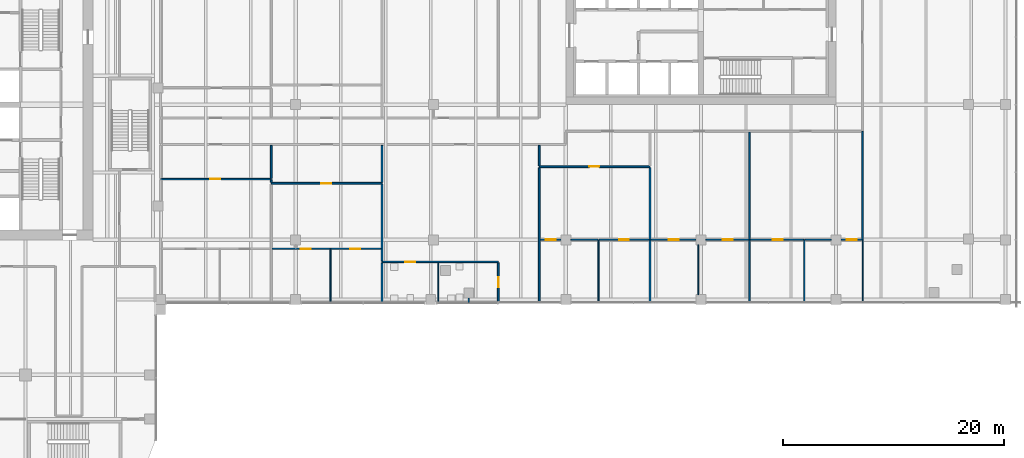
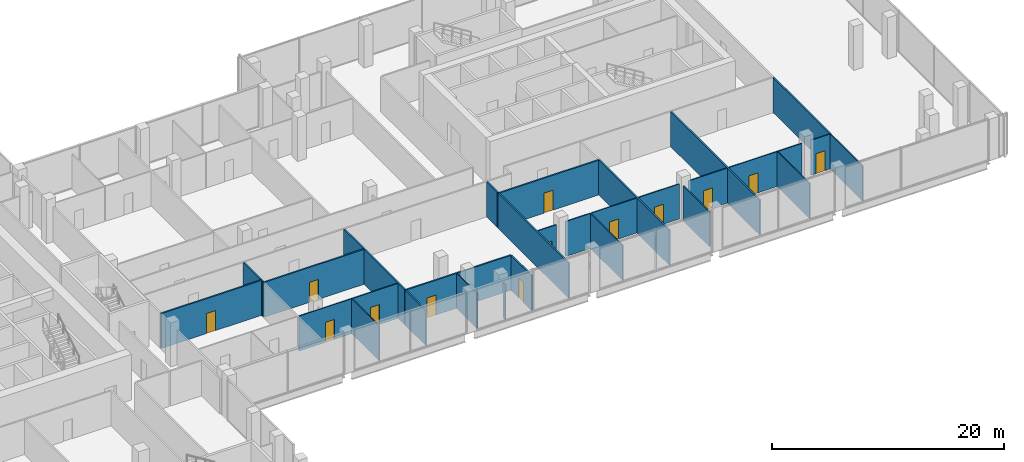
# One storey, part 26 of 33: 31 walls, 13 doors, 13 openings.
"""IFC4 building model written with IfcOpenShell, lengths in metres."""

from ifc_helpers import new_model, si_unit, direction, frame, frame_2d, origin, place, context, subcontext, project, spatial, rectangle, extrude, source, transform, mapped, material, layer, layer_set, type_object, element, fill, save


model = new_model("IFC4")

# Units and contexts
model_context = context("Model", 3, precision=1e-05, world=origin(), true_north=direction((0.0, 1.0)))
body_context = subcontext(model_context, "Body", "Model", "MODEL_VIEW")
ifc_project = project(units=[si_unit("LENGTHUNIT", "METRE"), si_unit("AREAUNIT", "SQUARE_METRE"), si_unit("VOLUMEUNIT", "CUBIC_METRE"), si_unit("PLANEANGLEUNIT", "RADIAN"), si_unit("MASSUNIT", "GRAM", prefix="KILO")], contexts=[model_context])

# Site, building, storey
site_placement = place(None, origin())
site = spatial("IfcSite", under=ifc_project, at=site_placement, CompositionType="ELEMENT")
building_placement = place(site_placement, origin())
building = spatial("IfcBuilding", under=site, at=building_placement, Name="Tessera Gate Towers", CompositionType="ELEMENT")
storey_placement = place(building_placement, frame((0.0, 0.0, 12.0)))
storey = spatial("IfcBuildingStorey", under=building, at=storey_placement, Name="L02", CompositionType="ELEMENT", Elevation=12.0)

# Wall
ifc_material_1 = material(Name="Glass", Category="glass")
ifc_layer_1 = layer(ifc_material_1, 0.10009765625)
ifc_layer_set_1 = layer_set([ifc_layer_1], Name="GLAZED PARTITION 100")
wall_type_1 = type_object("IfcWallType", Name="GLAZED PARTITION 100", PredefinedType="PARTITIONING", material=ifc_layer_set_1)
wall_1_placement = place(storey_placement, frame((124.39990234375, 18.800048828125, 0.0), z_axis=(0.0, 0.0, 1.0), x_axis=(0.0, 1.0, 0.0)))
element("IfcWall", 1, at=wall_1_placement, inside=storey, type_object=wall_type_1, Name="PODIUM-L02-PW-027", PredefinedType="PARTITIONING", context=body_context, shape_type="SweptSolid", body=[
    extrude(rectangle(XDim=5.598876953125, YDim=0.10009765625, at=frame_2d((2.79931640625, 0.0))), origin(), (0.0, 0.0, 1.0), 3.672119140625),
])

# Wall, opening, door
wall_2_placement = place(storey_placement, frame((109.34912109375, 24.39990234375, 0.0), z_axis=(0.0, 0.0, 1.0), x_axis=(-1.0, 0.0, 0.0)))
wall_2 = element("IfcWall", 2, at=wall_2_placement, inside=storey, type_object=wall_type_1, Name="PODIUM-L02-PW-047", PredefinedType="PARTITIONING", context=body_context, shape_type="SweptSolid", body=[
    extrude(rectangle(XDim=4.0732421875, YDim=0.10009765625, at=frame_2d((2.03662109375, 0.0))), origin(), (0.0, 0.0, 1.0), 3.672119140625),
])
shared_shape_1 = source(origin(), body_context, "Body", "SweptSolid", [
    extrude(rectangle(XDim=0.89990234375, YDim=2.10009765625, at=frame_2d((0.449951171875, 1.050048828125))), frame((0.0, 0.06005859375, 0.0), z_axis=(0.0, -1.0, 0.0), x_axis=(1.0, 0.0, 0.0)), (0.0, 0.0, 1.0), 0.1201171875),
])
opening_1_placement = place(wall_2_placement, frame((1.572998046875, 0.0, 0.0)))
opening_1 = element("IfcOpeningElement", 3, at=opening_1_placement, cuts=wall_2, Name="Opening D690-P03-04", PredefinedType="OPENING", context=body_context, shape_type="MappedRepresentation", body=[
    mapped(shared_shape_1, transform((0.0, 0.0, 0.0), scale=1.0)),
])
ifc_material_2 = material(Name="Glass in aluminium frame", Category="aluminium")
door_type_1 = type_object("IfcDoorType", Name="GLAZED DOOR 900 NOT RATED", OperationType="NOTDEFINED", PredefinedType="DOOR", material=ifc_material_2)
shared_shape_2 = source(origin(), body_context, "Body", "SweptSolid", [
    extrude(rectangle(XDim=0.89990234375, YDim=2.10009765625, at=frame_2d((0.449951171875, 1.050048828125))), frame((0.0, 0.02490234375, 0.0), z_axis=(0.0, -1.0, 0.0), x_axis=(1.0, 0.0, 0.0)), (0.0, 0.0, 1.0), 0.050048828125),
])
door_1_placement = place(opening_1_placement, origin())
door_1 = element("IfcDoor", 4, at=door_1_placement, inside=storey, type_object=door_type_1, Name="PODIUM-L02-PD-007", OperationType="SINGLE_SWING_RIGHT", OverallHeight=2.10009765625, OverallWidth=0.89990234375, PredefinedType="DOOR", context=body_context, shape_type="MappedRepresentation", body=[
    mapped(shared_shape_2, transform((0.0, 0.0, 0.0), scale=1.0)),
])
fill(opening_1, door_1)

wall_3_placement = place(storey_placement, frame((114.1240234375, 24.39990234375, 0.0), z_axis=(0.0, 0.0, 1.0), x_axis=(-1.0, 0.0, 0.0)))
wall_3 = element("IfcWall", 5, at=wall_3_placement, inside=storey, type_object=wall_type_1, Name="PODIUM-L02-PW-048", PredefinedType="PARTITIONING", context=body_context, shape_type="SweptSolid", body=[
    extrude(rectangle(XDim=3.873046875, YDim=0.10009765625, at=frame_2d((1.9365234375, 0.0))), origin(), (0.0, 0.0, 1.0), 3.672119140625),
])
opening_2_placement = place(wall_3_placement, frame((1.472900390625, 0.0, 0.0)))
opening_2 = element("IfcOpeningElement", 6, at=opening_2_placement, cuts=wall_3, Name="Opening D690-P03-02", PredefinedType="OPENING", context=body_context, shape_type="MappedRepresentation", body=[
    mapped(shared_shape_1, transform((0.0, 0.0, 0.0), scale=1.0)),
])
door_2_placement = place(opening_2_placement, origin())
door_2 = element("IfcDoor", 7, at=door_2_placement, inside=storey, type_object=door_type_1, Name="PODIUM-L02-PD-003", OperationType="SINGLE_SWING_RIGHT", OverallHeight=2.10009765625, OverallWidth=0.89990234375, PredefinedType="DOOR", context=body_context, shape_type="MappedRepresentation", body=[
    mapped(shared_shape_2, transform((0.0, 0.0, 0.0), scale=1.0)),
])
fill(opening_2, door_2)

wall_4_placement = place(storey_placement, frame((119.076416015625, 24.39990234375, 0.0), z_axis=(0.0, 0.0, 1.0), x_axis=(-1.0, 0.0, 0.0)))
wall_4 = element("IfcWall", 8, at=wall_4_placement, inside=storey, type_object=wall_type_1, Name="PODIUM-L02-PW-049", PredefinedType="PARTITIONING", context=body_context, shape_type="SweptSolid", body=[
    extrude(rectangle(XDim=4.800537109375, YDim=0.10009765625, at=frame_2d((2.400390625, 0.0))), origin(), (0.0, 0.0, 1.0), 3.672119140625),
])
opening_3_placement = place(wall_4_placement, frame((1.900390625, 0.0, 0.0)))
opening_3 = element("IfcOpeningElement", 9, at=opening_3_placement, cuts=wall_4, Name="Opening D690-P03-08", PredefinedType="OPENING", context=body_context, shape_type="MappedRepresentation", body=[
    mapped(shared_shape_1, transform((0.0, 0.0, 0.0), scale=1.0)),
])
door_3_placement = place(opening_3_placement, origin())
door_3 = element("IfcDoor", 10, at=door_3_placement, inside=storey, type_object=door_type_1, Name="PODIUM-L02-PD-020", OperationType="SINGLE_SWING_RIGHT", OverallHeight=2.10009765625, OverallWidth=0.89990234375, PredefinedType="DOOR", context=body_context, shape_type="MappedRepresentation", body=[
    mapped(shared_shape_2, transform((0.0, 0.0, 0.0), scale=1.0)),
])
fill(opening_3, door_3)

# Wall
wall_5_placement = place(storey_placement, frame((119.178466796875, 24.39990234375, 0.0), z_axis=(0.0, 0.0, 1.0), x_axis=(1.0, 0.0, 0.0)))
element("IfcWall", 11, at=wall_5_placement, inside=storey, type_object=wall_type_1, Name="PODIUM-L02-PW-050", PredefinedType="PARTITIONING", context=body_context, shape_type="SweptSolid", body=[
    extrude(rectangle(XDim=2.37060546875, YDim=0.10009765625, at=frame_2d((1.185302734375, 0.0))), origin(), (0.0, 0.0, 1.0), 3.672119140625),
])

# Wall, opening, door
wall_6_placement = place(storey_placement, frame((124.323974609375, 24.39990234375, 0.0), z_axis=(0.0, 0.0, 1.0), x_axis=(-1.0, 0.0, 0.0)))
wall_6 = element("IfcWall", 12, at=wall_6_placement, inside=storey, type_object=wall_type_1, Name="PODIUM-L02-PW-051", PredefinedType="PARTITIONING", context=body_context, shape_type="SweptSolid", body=[
    extrude(rectangle(XDim=1.873046875, YDim=0.10009765625, at=frame_2d((0.9365234375, 0.0))), origin(), (0.0, 0.0, 1.0), 3.672119140625),
])
opening_4_placement = place(wall_6_placement, frame((0.472900390625, 0.0, 0.0)))
opening_4 = element("IfcOpeningElement", 13, at=opening_4_placement, cuts=wall_6, Name="Opening D690-P03-06", PredefinedType="OPENING", context=body_context, shape_type="MappedRepresentation", body=[
    mapped(shared_shape_1, transform((0.0, 0.0, 0.0), scale=1.0)),
])
door_4_placement = place(opening_4_placement, origin())
door_4 = element("IfcDoor", 14, at=door_4_placement, inside=storey, type_object=door_type_1, Name="PODIUM-L02-PD-009", OperationType="SINGLE_SWING_LEFT", OverallHeight=2.10009765625, OverallWidth=0.89990234375, PredefinedType="DOOR", context=body_context, shape_type="MappedRepresentation", body=[
    mapped(shared_shape_2, transform((0.0, 0.0, 0.0), scale=1.0)),
])
fill(opening_4, door_4)

# Walls
ifc_material_3 = material(Name="Gypsum board on steel studs", Category="steel")
ifc_layer_2 = layer(ifc_material_3, 0.10009765625)
ifc_layer_set_2 = layer_set([ifc_layer_2], Name="PARTITION 100")
wall_type_2 = type_object("IfcWallType", Name="PARTITION 100", PredefinedType="PARTITIONING", material=ifc_layer_set_2)
wall_7_placement = place(storey_placement, frame((76.35009765625, 18.800048828125, 0.0), z_axis=(0.0, 0.0, 1.0), x_axis=(0.0, 1.0, 0.0)))
element("IfcWall", 15, at=wall_7_placement, inside=storey, type_object=wall_type_2, Name="PODIUM-L02-PW-018", PredefinedType="PARTITIONING", context=body_context, shape_type="SweptSolid", body=[
    extrude(rectangle(XDim=4.73486328125, YDim=0.10009765625, at=frame_2d((2.367431640625, 0.0))), origin(), (0.0, 0.0, 1.0), 3.672119140625),
])
wall_8_placement = place(storey_placement, frame((86.072021484375, 18.800048828125, 0.0), z_axis=(0.0, 0.0, 1.0), x_axis=(0.0, 1.0, 0.0)))
element("IfcWall", 16, at=wall_8_placement, inside=storey, type_object=wall_type_2, Name="PODIUM-L02-PW-020", PredefinedType="PARTITIONING", context=body_context, shape_type="SweptSolid", body=[
    extrude(rectangle(XDim=3.52392578125, YDim=0.10009765625, at=frame_2d((1.761962890625, 0.0))), origin(), (0.0, 0.0, 1.0), 3.672119140625),
])
for number, where, z_axis, x_axis, name in (
    (17, (100.550048828125, 18.800048828125, 0.0), (0.0, 0.0, 1.0), (0.0, 1.0, 0.0), "PODIUM-L02-PW-023"),
    (18, (119.1279296875, 18.800048828125, 0.0), (0.0, 0.0, 1.0), (0.0, 1.0, 0.0), "PODIUM-L02-PW-026"),
):
    element("IfcWall", number, at=place(storey_placement, frame(where, z_axis=z_axis, x_axis=x_axis)), inside=storey, type_object=wall_type_2, Name=name, PredefinedType="PARTITIONING", context=body_context, shape_type="SweptSolid", body=[
        extrude(rectangle(XDim=5.599853515625, YDim=0.10009765625, at=frame_2d((2.7998046875, 0.0))), origin(), (0.0, 0.0, 1.0), 3.672119140625),
    ])
wall_9_placement = place(storey_placement, frame((88.8310546875, 19.1240234375, 0.0), z_axis=(0.0, 0.0, 1.0), x_axis=(0.0, -1.0, 0.0)))
element("IfcWall", 19, at=wall_9_placement, inside=storey, type_object=wall_type_2, Name="PODIUM-L02-PW-028", PredefinedType="PARTITIONING", context=body_context, shape_type="SweptSolid", body=[
    extrude(rectangle(XDim=0.3740234375, YDim=0.10009765625, at=frame_2d((0.18701171875, 0.0))), origin(), (0.0, 0.0, 1.0), 3.672119140625),
])
wall_10_placement = place(storey_placement, frame((109.548095703125, 19.450927734375, 0.0), z_axis=(0.0, 0.0, 1.0), x_axis=(0.0, 1.0, 0.0)))
element("IfcWall", 20, at=wall_10_placement, inside=storey, type_object=wall_type_2, Name="PODIUM-L02-PW-030", PredefinedType="PARTITIONING", context=body_context, shape_type="SweptSolid", body=[
    extrude(rectangle(XDim=4.498046875, YDim=0.10009765625, at=frame_2d((2.2490234375, 0.0))), origin(), (0.0, 0.0, 1.0), 3.672119140625),
])

# Wall, openings, doors
wall_11_placement = place(storey_placement, frame((80.924072265625, 23.5859375, 0.0), z_axis=(0.0, 0.0, 1.0), x_axis=(-1.0, 0.0, 0.0)))
wall_11 = element("IfcWall", 21, at=wall_11_placement, inside=storey, type_object=wall_type_2, Name="PODIUM-L02-PW-042", PredefinedType="PARTITIONING", context=body_context, shape_type="SweptSolid", body=[
    extrude(rectangle(XDim=9.84814453125, YDim=0.10009765625, at=frame_2d((4.924072265625, 0.0))), origin(), (0.0, 0.0, 1.0), 3.672119140625),
])
opening_5_placement = place(wall_11_placement, frame((1.873046875, 0.0, 0.0)))
opening_5 = element("IfcOpeningElement", 22, at=opening_5_placement, cuts=wall_11, Name="Opening D190-P03-09", PredefinedType="OPENING", context=body_context, shape_type="MappedRepresentation", body=[
    mapped(shared_shape_1, transform((0.0, 0.0, 0.0), scale=1.0)),
])
opening_6_placement = place(wall_11_placement, frame((6.347900390625, 0.0, 0.0)))
opening_6 = element("IfcOpeningElement", 23, at=opening_6_placement, cuts=wall_11, Name="Opening D190-P03-14", PredefinedType="OPENING", context=body_context, shape_type="MappedRepresentation", body=[
    mapped(shared_shape_1, transform((0.0, 0.0, 0.0), scale=1.0)),
])
ifc_material_4 = material(Name="Timber door leaf in steel frame", Category="steel")
door_type_2 = type_object("IfcDoorType", Name="INTERNAL DOOR 900 NOT RATED", OperationType="NOTDEFINED", PredefinedType="DOOR", material=ifc_material_4)
door_5_placement = place(opening_5_placement, origin())
door_5 = element("IfcDoor", 24, at=door_5_placement, inside=storey, type_object=door_type_2, Name="PODIUM-L02-PD-017", OperationType="SINGLE_SWING_RIGHT", OverallHeight=2.10009765625, OverallWidth=0.89990234375, PredefinedType="DOOR", context=body_context, shape_type="MappedRepresentation", body=[
    mapped(shared_shape_2, transform((0.0, 0.0, 0.0), scale=1.0)),
])
fill(opening_5, door_5)
door_6_placement = place(opening_6_placement, origin())
door_6 = element("IfcDoor", 25, at=door_6_placement, inside=storey, type_object=door_type_2, Name="PODIUM-L02-PD-024", OperationType="SINGLE_SWING_RIGHT", OverallHeight=2.10009765625, OverallWidth=0.89990234375, PredefinedType="DOOR", context=body_context, shape_type="MappedRepresentation", body=[
    mapped(shared_shape_2, transform((0.0, 0.0, 0.0), scale=1.0)),
])
fill(opening_6, door_6)

# Wall, opening, door
wall_12_placement = place(storey_placement, frame((97.14892578125, 24.39990234375, 0.0), z_axis=(0.0, 0.0, 1.0), x_axis=(-1.0, 0.0, 0.0)))
wall_12 = element("IfcWall", 26, at=wall_12_placement, inside=storey, type_object=wall_type_2, Name="PODIUM-L02-PW-044", PredefinedType="PARTITIONING", context=body_context, shape_type="SweptSolid", body=[
    extrude(rectangle(XDim=1.873046875, YDim=0.10009765625, at=frame_2d((0.9365234375, 0.0))), origin(), (0.0, 0.0, 1.0), 3.672119140625),
])
opening_7_placement = place(wall_12_placement, frame((0.472900390625, 0.0, 0.0)))
opening_7 = element("IfcOpeningElement", 27, at=opening_7_placement, cuts=wall_12, Name="Opening D190-P03-03", PredefinedType="OPENING", context=body_context, shape_type="MappedRepresentation", body=[
    mapped(shared_shape_1, transform((0.0, 0.0, 0.0), scale=1.0)),
])
door_7_placement = place(opening_7_placement, origin())
door_7 = element("IfcDoor", 28, at=door_7_placement, inside=storey, type_object=door_type_2, Name="PODIUM-L02-PD-011", OperationType="SINGLE_SWING_RIGHT", OverallHeight=2.10009765625, OverallWidth=0.89990234375, PredefinedType="DOOR", context=body_context, shape_type="MappedRepresentation", body=[
    mapped(shared_shape_2, transform((0.0, 0.0, 0.0), scale=1.0)),
])
fill(opening_7, door_7)

# Wall
wall_13_placement = place(storey_placement, frame((98.051025390625, 24.39990234375, 0.0), z_axis=(0.0, 0.0, 1.0), x_axis=(1.0, 0.0, 0.0)))
element("IfcWall", 29, at=wall_13_placement, inside=storey, type_object=wall_type_2, Name="PODIUM-L02-PW-045", PredefinedType="PARTITIONING", context=body_context, shape_type="SweptSolid", body=[
    extrude(rectangle(XDim=2.447998046875, YDim=0.10009765625, at=frame_2d((1.22412109375, 0.0))), origin(), (0.0, 0.0, 1.0), 3.672119140625),
])

# Wall, opening, door
wall_14_placement = place(storey_placement, frame((105.1240234375, 24.39990234375, 0.0), z_axis=(0.0, 0.0, 1.0), x_axis=(-1.0, 0.0, 0.0)))
wall_14 = element("IfcWall", 30, at=wall_14_placement, inside=storey, type_object=wall_type_2, Name="PODIUM-L02-PW-046", PredefinedType="PARTITIONING", context=body_context, shape_type="SweptSolid", body=[
    extrude(rectangle(XDim=4.52294921875, YDim=0.10009765625, at=frame_2d((2.261474609375, 0.0))), origin(), (0.0, 0.0, 1.0), 3.672119140625),
])
opening_8_placement = place(wall_14_placement, frame((1.822998046875, 0.0, 0.0)))
opening_8 = element("IfcOpeningElement", 31, at=opening_8_placement, cuts=wall_14, Name="Opening D190-P03-07", PredefinedType="OPENING", context=body_context, shape_type="MappedRepresentation", body=[
    mapped(shared_shape_1, transform((0.0, 0.0, 0.0), scale=1.0)),
])
door_8_placement = place(opening_8_placement, origin())
door_8 = element("IfcDoor", 32, at=door_8_placement, inside=storey, type_object=door_type_2, Name="PODIUM-L02-PD-015", OperationType="SINGLE_SWING_RIGHT", OverallHeight=2.10009765625, OverallWidth=0.89990234375, PredefinedType="DOOR", context=body_context, shape_type="MappedRepresentation", body=[
    mapped(shared_shape_2, transform((0.0, 0.0, 0.0), scale=1.0)),
])
fill(opening_8, door_8)

# Wall
ifc_material_5 = material(Name="Gypsum board on steel studs, mineral wool", Category="steel")
ifc_layer_3 = layer(ifc_material_5, 0.14990234375)
ifc_layer_set_3 = layer_set([ifc_layer_3], Name="TENANCY WALL 150")
wall_type_3 = type_object("IfcWallType", Name="TENANCY WALL 150", PredefinedType="PARTITIONING", material=ifc_layer_set_3)
wall_15_placement = place(storey_placement, frame((81.0, 18.800048828125, 0.0), z_axis=(0.0, 0.0, 1.0), x_axis=(0.0, 1.0, 0.0)))
element("IfcWall", 33, at=wall_15_placement, inside=storey, type_object=wall_type_3, Name="PODIUM-L02-PW-019", PredefinedType="PARTITIONING", context=body_context, shape_type="SweptSolid", body=[
    extrude(rectangle(XDim=3.52392578125, YDim=0.14990234375, at=frame_2d((1.761962890625, 0.0))), origin(), (0.0, 0.0, 1.0), 3.672119140625),
])

# Wall, opening, door
wall_16_placement = place(storey_placement, frame((91.5, 18.800048828125, 0.0), z_axis=(0.0, 0.0, 1.0), x_axis=(0.0, 1.0, 0.0)))
wall_16 = element("IfcWall", 34, at=wall_16_placement, inside=storey, type_object=wall_type_3, Name="PODIUM-L02-PW-021", PredefinedType="PARTITIONING", context=body_context, shape_type="SweptSolid", body=[
    extrude(rectangle(XDim=3.52392578125, YDim=0.14990234375, at=frame_2d((1.761962890625, 0.0))), origin(), (0.0, 0.0, 1.0), 3.672119140625),
])
shared_shape_3 = source(origin(), body_context, "Body", "SweptSolid", [
    extrude(rectangle(XDim=0.89990234375, YDim=2.10009765625, at=frame_2d((0.449951171875, 1.050048828125))), frame((0.0, 0.0849609375, 0.0), z_axis=(0.0, -1.0, 0.0), x_axis=(1.0, 0.0, 0.0)), (0.0, 0.0, 1.0), 0.169921875),
])
opening_9_placement = place(wall_16_placement, frame((1.300048828125, 0.0, 0.0)))
opening_9 = element("IfcOpeningElement", 35, at=opening_9_placement, cuts=wall_16, Name="Opening D190-P03-20", PredefinedType="OPENING", context=body_context, shape_type="MappedRepresentation", body=[
    mapped(shared_shape_3, transform((0.0, 0.0, 0.0), scale=1.0)),
])
door_9_placement = place(opening_9_placement, origin())
door_9 = element("IfcDoor", 36, at=door_9_placement, inside=storey, type_object=door_type_2, Name="PODIUM-L02-PD-037", OperationType="SINGLE_SWING_LEFT", OverallHeight=2.10009765625, OverallWidth=0.89990234375, PredefinedType="DOOR", context=body_context, shape_type="MappedRepresentation", body=[
    mapped(shared_shape_2, transform((0.0, 0.0, 0.0), scale=1.0)),
])
fill(opening_9, door_9)

# Walls
for number, where, z_axis, x_axis, name in (
    (37, (95.199951171875, 18.800048828125, 0.0), (0.0, 0.0, 1.0), (0.0, 1.0, 0.0), "PODIUM-L02-PW-022"),
    (38, (105.199951171875, 18.800048828125, 0.0), (0.0, 0.0, 1.0), (0.0, 1.0, 0.0), "PODIUM-L02-PW-024"),
):
    element("IfcWall", number, at=place(storey_placement, frame(where, z_axis=z_axis, x_axis=x_axis)), inside=storey, type_object=wall_type_3, Name=name, PredefinedType="PARTITIONING", context=body_context, shape_type="SweptSolid", body=[
        extrude(rectangle(XDim=12.1240234375, YDim=0.14990234375, at=frame_2d((6.06201171875, 0.0))), origin(), (0.0, 0.0, 1.0), 3.672119140625),
    ])
wall_17_placement = place(storey_placement, frame((114.199951171875, 18.800048828125, 0.0), z_axis=(0.0, 0.0, 1.0), x_axis=(0.0, 1.0, 0.0)))
element("IfcWall", 39, at=wall_17_placement, inside=storey, type_object=wall_type_3, Name="PODIUM-L02-PW-025", PredefinedType="PARTITIONING", context=body_context, shape_type="SweptSolid", body=[
    extrude(rectangle(XDim=15.323974609375, YDim=0.14990234375, at=frame_2d((7.662109375, 0.0))), origin(), (0.0, 0.0, 1.0), 3.672119140625),
])

# Wall, opening, door
wall_18_placement = place(storey_placement, frame((91.5, 22.39990234375, 0.0), z_axis=(0.0, 0.0, 1.0), x_axis=(-1.0, 0.0, 0.0)))
wall_18 = element("IfcWall", 40, at=wall_18_placement, inside=storey, type_object=wall_type_3, Name="PODIUM-L02-PW-039", PredefinedType="PARTITIONING", context=body_context, shape_type="SweptSolid", body=[
    extrude(rectangle(XDim=10.5, YDim=0.14990234375, at=frame_2d((5.25, 0.0))), origin(), (0.0, 0.0, 1.0), 3.672119140625),
])
opening_10_placement = place(wall_18_placement, frame((7.5, 0.0, 0.0)))
opening_10 = element("IfcOpeningElement", 41, at=opening_10_placement, cuts=wall_18, Name="Opening D190-P03-12", PredefinedType="OPENING", context=body_context, shape_type="MappedRepresentation", body=[
    mapped(shared_shape_3, transform((0.0, 0.0, 0.0), scale=1.0)),
])
door_10_placement = place(opening_10_placement, origin())
door_10 = element("IfcDoor", 42, at=door_10_placement, inside=storey, type_object=door_type_2, Name="PODIUM-L02-PD-022", OperationType="SINGLE_SWING_RIGHT", OverallHeight=2.10009765625, OverallWidth=0.89990234375, PredefinedType="DOOR", context=body_context, shape_type="MappedRepresentation", body=[
    mapped(shared_shape_2, transform((0.0, 0.0, 0.0), scale=1.0)),
])
fill(opening_10, door_10)

# Walls
wall_19_placement = place(storey_placement, frame((81.0, 22.47607421875, 0.0), z_axis=(0.0, 0.0, 1.0), x_axis=(0.0, 1.0, 0.0)))
element("IfcWall", 43, at=wall_19_placement, inside=storey, type_object=wall_type_3, Name="PODIUM-L02-PW-040", PredefinedType="PARTITIONING", context=body_context, shape_type="SweptSolid", body=[
    extrude(rectangle(XDim=6.947998046875, YDim=0.14990234375, at=frame_2d((3.47412109375, 0.0))), origin(), (0.0, 0.0, 1.0), 3.672119140625),
])
wall_20_placement = place(storey_placement, frame((124.39990234375, 24.39990234375, 0.0), z_axis=(0.0, 0.0, 1.0), x_axis=(0.0, 1.0, 0.0)))
element("IfcWall", 44, at=wall_20_placement, inside=storey, type_object=wall_type_3, Name="PODIUM-L02-PW-052", PredefinedType="PARTITIONING", context=body_context, shape_type="SweptSolid", body=[
    extrude(rectangle(XDim=9.799072265625, YDim=0.14990234375, at=frame_2d((4.8994140625, 0.0))), origin(), (0.0, 0.0, 1.0), 3.672119140625),
])

# Wall, opening, door
wall_21_placement = place(storey_placement, frame((81.0, 29.5, 0.0), z_axis=(0.0, 0.0, 1.0), x_axis=(-1.0, 0.0, 0.0)))
wall_21 = element("IfcWall", 45, at=wall_21_placement, inside=storey, type_object=wall_type_3, Name="PODIUM-L02-PW-059", PredefinedType="PARTITIONING", context=body_context, shape_type="SweptSolid", body=[
    extrude(rectangle(XDim=10.0, YDim=0.14990234375, at=frame_2d((5.0, 0.0))), origin(), (0.0, 0.0, 1.0), 3.672119140625),
])
opening_11_placement = place(wall_21_placement, frame((4.60009765625, 0.0, 0.0)))
opening_11 = element("IfcOpeningElement", 46, at=opening_11_placement, cuts=wall_21, Name="Opening D190-P03-24", PredefinedType="OPENING", context=body_context, shape_type="MappedRepresentation", body=[
    mapped(shared_shape_3, transform((0.0, 0.0, 0.0), scale=1.0)),
])
door_11_placement = place(opening_11_placement, origin())
door_11 = element("IfcDoor", 47, at=door_11_placement, inside=storey, type_object=door_type_2, Name="PODIUM-L02-PD-050", OperationType="SINGLE_SWING_RIGHT", OverallHeight=2.10009765625, OverallWidth=0.89990234375, PredefinedType="DOOR", context=body_context, shape_type="MappedRepresentation", body=[
    mapped(shared_shape_2, transform((0.0, 0.0, 0.0), scale=1.0)),
])
fill(opening_11, door_11)

# Walls
wall_22_placement = place(storey_placement, frame((71.0, 29.575927734375, 0.0), z_axis=(0.0, 0.0, 1.0), x_axis=(0.0, 1.0, 0.0)))
element("IfcWall", 48, at=wall_22_placement, inside=storey, type_object=wall_type_3, Name="PODIUM-L02-PW-060", PredefinedType="PARTITIONING", context=body_context, shape_type="SweptSolid", body=[
    extrude(rectangle(XDim=0.22314453125, YDim=0.14990234375, at=frame_2d((0.111572265625, 0.0))), origin(), (0.0, 0.0, 1.0), 3.672119140625),
])
wall_23_placement = place(storey_placement, frame((81.0, 29.575927734375, 0.0), z_axis=(0.0, 0.0, 1.0), x_axis=(0.0, 1.0, 0.0)))
element("IfcWall", 49, at=wall_23_placement, inside=storey, type_object=wall_type_3, Name="PODIUM-L02-PW-061", PredefinedType="PARTITIONING", context=body_context, shape_type="SweptSolid", body=[
    extrude(rectangle(XDim=3.34814453125, YDim=0.14990234375, at=frame_2d((1.674072265625, 0.0))), origin(), (0.0, 0.0, 1.0), 3.672119140625),
])

# Wall, opening, door
wall_24_placement = place(storey_placement, frame((71.0, 29.875, 0.0), z_axis=(0.0, 0.0, 1.0), x_axis=(-1.0, 0.0, 0.0)))
wall_24 = element("IfcWall", 50, at=wall_24_placement, inside=storey, type_object=wall_type_3, Name="PODIUM-L02-PW-062", PredefinedType="PARTITIONING", context=body_context, shape_type="SweptSolid", body=[
    extrude(rectangle(XDim=10.0, YDim=0.14990234375, at=frame_2d((5.0, 0.0))), origin(), (0.0, 0.0, 1.0), 3.672119140625),
])
opening_12_placement = place(wall_24_placement, frame((4.60009765625, 0.0, 0.0)))
opening_12 = element("IfcOpeningElement", 51, at=opening_12_placement, cuts=wall_24, Name="Opening D190-P03-23", PredefinedType="OPENING", context=body_context, shape_type="MappedRepresentation", body=[
    mapped(shared_shape_3, transform((0.0, 0.0, 0.0), scale=1.0)),
])
door_12_placement = place(opening_12_placement, origin())
door_12 = element("IfcDoor", 52, at=door_12_placement, inside=storey, type_object=door_type_2, Name="PODIUM-L02-PD-049", OperationType="SINGLE_SWING_RIGHT", OverallHeight=2.10009765625, OverallWidth=0.89990234375, PredefinedType="DOOR", context=body_context, shape_type="MappedRepresentation", body=[
    mapped(shared_shape_2, transform((0.0, 0.0, 0.0), scale=1.0)),
])
fill(opening_12, door_12)

# Wall
wall_25_placement = place(storey_placement, frame((71.0, 29.950927734375, 0.0), z_axis=(0.0, 0.0, 1.0), x_axis=(0.0, 1.0, 0.0)))
element("IfcWall", 53, at=wall_25_placement, inside=storey, type_object=wall_type_3, Name="PODIUM-L02-PW-064", PredefinedType="PARTITIONING", context=body_context, shape_type="SweptSolid", body=[
    extrude(rectangle(XDim=2.97314453125, YDim=0.14990234375, at=frame_2d((1.486572265625, 0.0))), origin(), (0.0, 0.0, 1.0), 3.672119140625),
])

# Wall, opening, door
wall_26_placement = place(storey_placement, frame((105.199951171875, 31.0, 0.0), z_axis=(0.0, 0.0, 1.0), x_axis=(-1.0, 0.0, 0.0)))
wall_26 = element("IfcWall", 54, at=wall_26_placement, inside=storey, type_object=wall_type_3, Name="PODIUM-L02-PW-065", PredefinedType="PARTITIONING", context=body_context, shape_type="SweptSolid", body=[
    extrude(rectangle(XDim=10.0, YDim=0.14990234375, at=frame_2d((5.0, 0.0))), origin(), (0.0, 0.0, 1.0), 3.672119140625),
])
opening_13_placement = place(wall_26_placement, frame((4.60009765625, 0.0, 0.0)))
opening_13 = element("IfcOpeningElement", 55, at=opening_13_placement, cuts=wall_26, Name="Opening D190-P03-25", PredefinedType="OPENING", context=body_context, shape_type="MappedRepresentation", body=[
    mapped(shared_shape_3, transform((0.0, 0.0, 0.0), scale=1.0)),
])
door_13_placement = place(opening_13_placement, origin())
door_13 = element("IfcDoor", 56, at=door_13_placement, inside=storey, type_object=door_type_2, Name="PODIUM-L02-PD-052", OperationType="SINGLE_SWING_RIGHT", OverallHeight=2.10009765625, OverallWidth=0.89990234375, PredefinedType="DOOR", context=body_context, shape_type="MappedRepresentation", body=[
    mapped(shared_shape_2, transform((0.0, 0.0, 0.0), scale=1.0)),
])
fill(opening_13, door_13)

# Wall
wall_27_placement = place(storey_placement, frame((95.199951171875, 31.075927734375, 0.0), z_axis=(0.0, 0.0, 1.0), x_axis=(0.0, 1.0, 0.0)))
element("IfcWall", 57, at=wall_27_placement, inside=storey, type_object=wall_type_3, Name="PODIUM-L02-PW-066", PredefinedType="PARTITIONING", context=body_context, shape_type="SweptSolid", body=[
    extrude(rectangle(XDim=1.84814453125, YDim=0.14990234375, at=frame_2d((0.924072265625, 0.0))), origin(), (0.0, 0.0, 1.0), 3.672119140625),
])

save(model, "model.ifc")
